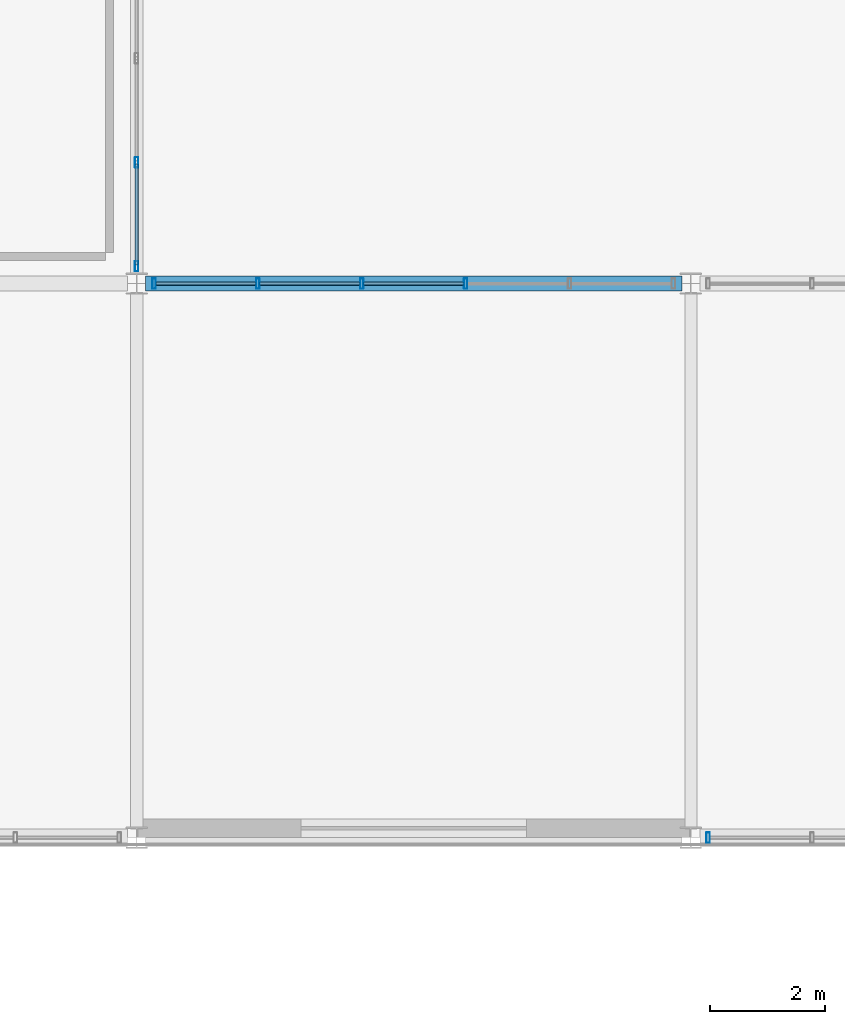
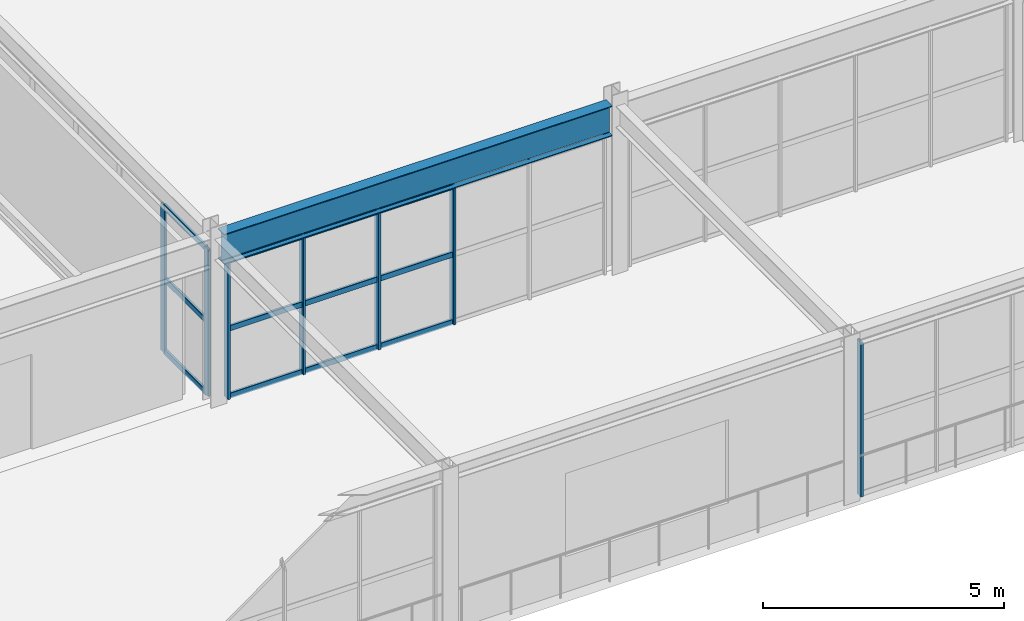
# One storey, part 100 of 170: 19 members, 1 beam, 3 elements without a shape of their own.
"""IFC4 building model written with IfcOpenShell, lengths in metres."""

from ifc_helpers import new_model, si_unit, direction, frame, origin, origin_2d, place, context, subcontext, project, spatial, hollow_rectangle, i_section, extrude, material, material_profile, profile_set, type_object, element, aggregate, save


model = new_model("IFC4")

# Units and contexts
model_context = context("Model", 3, precision=1e-05, world=origin(), true_north=direction((0.0, 1.0)))
body_context = subcontext(model_context, "Body", "Model", "MODEL_VIEW")
ifc_project = project(units=[si_unit("LENGTHUNIT", "METRE"), si_unit("AREAUNIT", "SQUARE_METRE"), si_unit("VOLUMEUNIT", "CUBIC_METRE"), si_unit("PLANEANGLEUNIT", "RADIAN"), si_unit("MASSUNIT", "GRAM", prefix="KILO")], contexts=[model_context])

# Site, building, storey
site_placement = place(None, origin())
site = spatial("IfcSite", under=ifc_project, at=site_placement, CompositionType="ELEMENT")
building_placement = place(site_placement, origin())
building = spatial("IfcBuilding", under=site, at=building_placement, Name="Coralgate Yard Interchange", CompositionType="ELEMENT")
storey_placement = place(building_placement, frame((0.0, 0.0, 6.0)))
storey = spatial("IfcBuildingStorey", under=building, at=storey_placement, Name="L01", CompositionType="ELEMENT", Elevation=6.0)

# Beam
ifc_material_1 = material(Name="Structural steel S355J2", Category="steel")
ifc_material_profile_1 = material_profile(ifc_material_1, i_section(OverallWidth=0.2666015625, OverallDepth=0.76220703125, WebThickness=0.014404296875, FlangeThickness=0.021484375, FilletRadius=0.0166015625, at=origin_2d()), Name="UB 762x267x173")
ifc_profile_set_1 = profile_set([ifc_material_profile_1], Name="Structural steel S355J2")
beam_type = type_object("IfcBeamType", Name="BM-SG-3", PredefinedType="BEAM", material=ifc_profile_set_1)
beam_placement = place(storey_placement, frame((105.75634765625, 76.800048828125, 3.868896484375), z_axis=(1.0, 0.0, 0.0), x_axis=(0.0, 1.0, 0.0)))
element("IfcBeam", 1, at=beam_placement, inside=storey, type_object=beam_type, Name="L01 primary grid beam Y8 X11-12", PredefinedType="BEAM", context=body_context, shape_type="SweptSolid", body=[
    extrude(i_section(OverallWidth=0.2666015625, OverallDepth=0.76220703125, WebThickness=0.014404296875, FlangeThickness=0.021484375, FilletRadius=0.0166015625, at=origin_2d()), origin(), (0.0, 0.0, 1.0), 9.287353515625),
])

# Curtain wall, members
ifc_material_2 = material(Name="Anodised coastal aluminium and solar-control low-E glass", Category="aluminium")
curtain_wall_type_1 = type_object("IfcCurtainWallType", Name="CW-CW-L01-B", PredefinedType="NOTDEFINED", material=ifc_material_2)
curtain_wall_1_placement = place(storey_placement, origin())
curtain_wall_1 = element("IfcCurtainWall", 2, at=curtain_wall_1_placement, inside=storey, type_object=curtain_wall_type_1, Name="L01 unitised curtain wall CW-L01-E-10-08", PredefinedType="NOTDEFINED")
ifc_material_3 = material(Name="Anodised coastal aluminium 6063-T6", Category="aluminium")
ifc_material_profile_2 = material_profile(ifc_material_3, hollow_rectangle(XDim=0.06005859375, YDim=0.179931640625, WallThickness=0.00390625, InnerFilletRadius=0.00390625, OuterFilletRadius=0.008056640625, at=origin_2d()), Name="ALU 60x180x4")
ifc_profile_set_2 = profile_set([ifc_material_profile_2], Name="Anodised coastal aluminium 6063-T6")
member_type_1 = type_object("IfcMemberType", Name="MB-MUL-180", PredefinedType="MULLION", material=ifc_profile_set_2)
member_1_placement = place(storey_placement, frame((105.60009765625, 78.89990234375, 0.0), z_axis=(0.0, 0.0, 1.0), x_axis=(1.0, 0.0, 0.0)))
member_1 = element("IfcMember", 3, at=member_1_placement, type_object=member_type_1, Name="CW-L01-E-10-08 vertical mullion 5", PredefinedType="MULLION", context=body_context, shape_type="SweptSolid", body=[
    extrude(hollow_rectangle(XDim=0.06005859375, YDim=0.179931640625, WallThickness=0.00390625, InnerFilletRadius=0.00390625, OuterFilletRadius=0.008056640625, at=origin_2d()), origin(), (0.0, 0.0, 1.0), 3.716796875),
])
member_2_placement = place(storey_placement, frame((105.60009765625, 77.10009765625, 0.0), z_axis=(0.0, 0.0, 1.0), x_axis=(1.0, 0.0, 0.0)))
member_2 = element("IfcMember", 4, at=member_2_placement, type_object=member_type_1, Name="CW-L01-E-10-08 vertical mullion 6", PredefinedType="MULLION", context=body_context, shape_type="SweptSolid", body=[
    extrude(hollow_rectangle(XDim=0.06005859375, YDim=0.179931640625, WallThickness=0.00390625, InnerFilletRadius=0.00390625, OuterFilletRadius=0.008056640625, at=origin_2d()), origin(), (0.0, 0.0, 1.0), 3.716796875),
])

curtain_wall_2_placement = place(storey_placement, origin())
curtain_wall_2 = element("IfcCurtainWall", 5, at=curtain_wall_2_placement, inside=storey, type_object=curtain_wall_type_1, Name="L01 unitised curtain wall CW-L01-N-11-07", PredefinedType="NOTDEFINED")
member_3_placement = place(storey_placement, frame((105.89990234375, 76.800048828125, 0.0), z_axis=(0.0, 0.0, 1.0), x_axis=(1.0, 0.0, 0.0)))
member_3 = element("IfcMember", 6, at=member_3_placement, type_object=member_type_1, Name="CW-L01-N-11-07 vertical mullion 1", PredefinedType="MULLION", context=body_context, shape_type="SweptSolid", body=[
    extrude(hollow_rectangle(XDim=0.06005859375, YDim=0.179931640625, WallThickness=0.00390625, InnerFilletRadius=0.00390625, OuterFilletRadius=0.008056640625, at=origin_2d()), origin(), (0.0, 0.0, 1.0), 3.48779296875),
])
member_4_placement = place(storey_placement, frame((107.699951171875, 76.800048828125, 0.0), z_axis=(0.0, 0.0, 1.0), x_axis=(1.0, 0.0, 0.0)))
member_4 = element("IfcMember", 7, at=member_4_placement, type_object=member_type_1, Name="CW-L01-N-11-07 vertical mullion 2", PredefinedType="MULLION", context=body_context, shape_type="SweptSolid", body=[
    extrude(hollow_rectangle(XDim=0.06005859375, YDim=0.179931640625, WallThickness=0.00390625, InnerFilletRadius=0.00390625, OuterFilletRadius=0.008056640625, at=origin_2d()), origin(), (0.0, 0.0, 1.0), 3.48779296875),
])
member_5_placement = place(storey_placement, frame((109.5, 76.800048828125, 0.0), z_axis=(0.0, 0.0, 1.0), x_axis=(1.0, 0.0, 0.0)))
member_5 = element("IfcMember", 8, at=member_5_placement, type_object=member_type_1, Name="CW-L01-N-11-07 vertical mullion 3", PredefinedType="MULLION", context=body_context, shape_type="SweptSolid", body=[
    extrude(hollow_rectangle(XDim=0.06005859375, YDim=0.179931640625, WallThickness=0.00390625, InnerFilletRadius=0.00390625, OuterFilletRadius=0.008056640625, at=origin_2d()), origin(), (0.0, 0.0, 1.0), 3.48779296875),
])
member_6_placement = place(storey_placement, frame((111.300048828125, 76.800048828125, 0.0), z_axis=(0.0, 0.0, 1.0), x_axis=(1.0, 0.0, 0.0)))
member_6 = element("IfcMember", 9, at=member_6_placement, type_object=member_type_1, Name="CW-L01-N-11-07 vertical mullion 4", PredefinedType="MULLION", context=body_context, shape_type="SweptSolid", body=[
    extrude(hollow_rectangle(XDim=0.06005859375, YDim=0.179931640625, WallThickness=0.00390625, InnerFilletRadius=0.00390625, OuterFilletRadius=0.008056640625, at=origin_2d()), origin(), (0.0, 0.0, 1.0), 3.48779296875),
])

# Curtain wall, member
curtain_wall_type_2 = type_object("IfcCurtainWallType", Name="CW-CW-L01-A", PredefinedType="NOTDEFINED", material=ifc_material_2)
curtain_wall_3_placement = place(storey_placement, origin())
curtain_wall_3 = element("IfcCurtainWall", 10, at=curtain_wall_3_placement, inside=storey, type_object=curtain_wall_type_2, Name="L01 unitised curtain wall CW-L01-S-12-07", PredefinedType="NOTDEFINED")
member_7_placement = place(storey_placement, frame((115.5, 67.199951171875, 0.0), z_axis=(0.0, 0.0, 1.0), x_axis=(1.0, 0.0, 0.0)))
member_7 = element("IfcMember", 11, at=member_7_placement, type_object=member_type_1, Name="CW-L01-S-12-07 vertical mullion 6", PredefinedType="MULLION", context=body_context, shape_type="SweptSolid", body=[
    extrude(hollow_rectangle(XDim=0.06005859375, YDim=0.179931640625, WallThickness=0.00390625, InnerFilletRadius=0.00390625, OuterFilletRadius=0.008056640625, at=origin_2d()), origin(), (0.0, 0.0, 1.0), 3.89990234375),
])
aggregate(curtain_wall_3, [member_7])

# Member
ifc_material_profile_3 = material_profile(ifc_material_3, hollow_rectangle(XDim=0.06005859375, YDim=0.139892578125, WallThickness=0.00341796875, InnerFilletRadius=0.00341796875, OuterFilletRadius=0.007080078125, at=origin_2d()), Name="ALU 60x140x3.5")
ifc_profile_set_3 = profile_set([ifc_material_profile_3], Name="Anodised coastal aluminium 6063-T6")
member_type_2 = type_object("IfcMemberType", Name="MB-TRN-140", PredefinedType="USERDEFINED", material=ifc_profile_set_3)
member_8_placement = place(storey_placement, frame((105.60009765625, 78.8701171875, 0.034912109375), z_axis=(0.0, -1.0, 0.0), x_axis=(1.0, 0.0, 0.0)))
member_8 = element("IfcMember", 12, at=member_8_placement, type_object=member_type_2, Name="CW-L01-E-10-08 horizontal transom 5-1", ObjectType="TRANSOM", PredefinedType="USERDEFINED", context=body_context, shape_type="SweptSolid", body=[
    extrude(hollow_rectangle(XDim=0.06005859375, YDim=0.139892578125, WallThickness=0.00341796875, InnerFilletRadius=0.00341796875, OuterFilletRadius=0.007080078125, at=origin_2d()), origin(), (0.0, 0.0, 1.0), 1.740234375),
])

member_9_placement = place(storey_placement, frame((105.60009765625, 78.8701171875, 1.8583984375), z_axis=(0.0, -1.0, 0.0), x_axis=(1.0, 0.0, 0.0)))
member_9 = element("IfcMember", 13, at=member_9_placement, type_object=member_type_2, Name="CW-L01-E-10-08 horizontal transom 5-2", ObjectType="TRANSOM", PredefinedType="USERDEFINED", context=body_context, shape_type="SweptSolid", body=[
    extrude(hollow_rectangle(XDim=0.06005859375, YDim=0.139892578125, WallThickness=0.00341796875, InnerFilletRadius=0.00341796875, OuterFilletRadius=0.007080078125, at=origin_2d()), origin(), (0.0, 0.0, 1.0), 1.740234375),
])

member_10_placement = place(storey_placement, frame((105.60009765625, 78.8701171875, 3.681884765625), z_axis=(0.0, -1.0, 0.0), x_axis=(1.0, 0.0, 0.0)))
member_10 = element("IfcMember", 14, at=member_10_placement, type_object=member_type_2, Name="CW-L01-E-10-08 horizontal transom 5-3", ObjectType="TRANSOM", PredefinedType="USERDEFINED", context=body_context, shape_type="SweptSolid", body=[
    extrude(hollow_rectangle(XDim=0.06005859375, YDim=0.139892578125, WallThickness=0.00341796875, InnerFilletRadius=0.00341796875, OuterFilletRadius=0.007080078125, at=origin_2d()), origin(), (0.0, 0.0, 1.0), 1.740234375),
])

aggregate(curtain_wall_1, [member_1, member_2, member_8, member_9, member_10])

member_11_placement = place(storey_placement, frame((105.929931640625, 76.800048828125, 0.034912109375), z_axis=(1.0, 0.0, 0.0), x_axis=(0.0, 1.0, 0.0)))
member_11 = element("IfcMember", 15, at=member_11_placement, type_object=member_type_2, Name="CW-L01-N-11-07 horizontal transom 1-1", ObjectType="TRANSOM", PredefinedType="USERDEFINED", context=body_context, shape_type="SweptSolid", body=[
    extrude(hollow_rectangle(XDim=0.06005859375, YDim=0.139892578125, WallThickness=0.00341796875, InnerFilletRadius=0.00341796875, OuterFilletRadius=0.007080078125, at=origin_2d()), origin(), (0.0, 0.0, 1.0), 1.739990234375),
])

member_12_placement = place(storey_placement, frame((105.929931640625, 76.800048828125, 1.743896484375), z_axis=(1.0, 0.0, 0.0), x_axis=(0.0, 1.0, 0.0)))
member_12 = element("IfcMember", 16, at=member_12_placement, type_object=member_type_2, Name="CW-L01-N-11-07 horizontal transom 1-2", ObjectType="TRANSOM", PredefinedType="USERDEFINED", context=body_context, shape_type="SweptSolid", body=[
    extrude(hollow_rectangle(XDim=0.06005859375, YDim=0.139892578125, WallThickness=0.00341796875, InnerFilletRadius=0.00341796875, OuterFilletRadius=0.007080078125, at=origin_2d()), origin(), (0.0, 0.0, 1.0), 1.739990234375),
])

member_13_placement = place(storey_placement, frame((105.929931640625, 76.800048828125, 3.452880859375), z_axis=(1.0, 0.0, 0.0), x_axis=(0.0, 1.0, 0.0)))
member_13 = element("IfcMember", 17, at=member_13_placement, type_object=member_type_2, Name="CW-L01-N-11-07 horizontal transom 1-3", ObjectType="TRANSOM", PredefinedType="USERDEFINED", context=body_context, shape_type="SweptSolid", body=[
    extrude(hollow_rectangle(XDim=0.06005859375, YDim=0.139892578125, WallThickness=0.00341796875, InnerFilletRadius=0.00341796875, OuterFilletRadius=0.007080078125, at=origin_2d()), origin(), (0.0, 0.0, 1.0), 1.739990234375),
])

member_14_placement = place(storey_placement, frame((107.72998046875, 76.800048828125, 0.034912109375), z_axis=(1.0, 0.0, 0.0), x_axis=(0.0, 1.0, 0.0)))
member_14 = element("IfcMember", 18, at=member_14_placement, type_object=member_type_2, Name="CW-L01-N-11-07 horizontal transom 2-1", ObjectType="TRANSOM", PredefinedType="USERDEFINED", context=body_context, shape_type="SweptSolid", body=[
    extrude(hollow_rectangle(XDim=0.06005859375, YDim=0.139892578125, WallThickness=0.00341796875, InnerFilletRadius=0.00341796875, OuterFilletRadius=0.007080078125, at=origin_2d()), origin(), (0.0, 0.0, 1.0), 1.739990234375),
])

member_15_placement = place(storey_placement, frame((107.72998046875, 76.800048828125, 1.743896484375), z_axis=(1.0, 0.0, 0.0), x_axis=(0.0, 1.0, 0.0)))
member_15 = element("IfcMember", 19, at=member_15_placement, type_object=member_type_2, Name="CW-L01-N-11-07 horizontal transom 2-2", ObjectType="TRANSOM", PredefinedType="USERDEFINED", context=body_context, shape_type="SweptSolid", body=[
    extrude(hollow_rectangle(XDim=0.06005859375, YDim=0.139892578125, WallThickness=0.00341796875, InnerFilletRadius=0.00341796875, OuterFilletRadius=0.007080078125, at=origin_2d()), origin(), (0.0, 0.0, 1.0), 1.739990234375),
])

member_16_placement = place(storey_placement, frame((107.72998046875, 76.800048828125, 3.452880859375), z_axis=(1.0, 0.0, 0.0), x_axis=(0.0, 1.0, 0.0)))
member_16 = element("IfcMember", 20, at=member_16_placement, type_object=member_type_2, Name="CW-L01-N-11-07 horizontal transom 2-3", ObjectType="TRANSOM", PredefinedType="USERDEFINED", context=body_context, shape_type="SweptSolid", body=[
    extrude(hollow_rectangle(XDim=0.06005859375, YDim=0.139892578125, WallThickness=0.00341796875, InnerFilletRadius=0.00341796875, OuterFilletRadius=0.007080078125, at=origin_2d()), origin(), (0.0, 0.0, 1.0), 1.739990234375),
])

member_17_placement = place(storey_placement, frame((109.530029296875, 76.800048828125, 0.034912109375), z_axis=(1.0, 0.0, 0.0), x_axis=(0.0, 1.0, 0.0)))
member_17 = element("IfcMember", 21, at=member_17_placement, type_object=member_type_2, Name="CW-L01-N-11-07 horizontal transom 3-1", ObjectType="TRANSOM", PredefinedType="USERDEFINED", context=body_context, shape_type="SweptSolid", body=[
    extrude(hollow_rectangle(XDim=0.06005859375, YDim=0.139892578125, WallThickness=0.00341796875, InnerFilletRadius=0.00341796875, OuterFilletRadius=0.007080078125, at=origin_2d()), origin(), (0.0, 0.0, 1.0), 1.739990234375),
])

member_18_placement = place(storey_placement, frame((109.530029296875, 76.800048828125, 1.743896484375), z_axis=(1.0, 0.0, 0.0), x_axis=(0.0, 1.0, 0.0)))
member_18 = element("IfcMember", 22, at=member_18_placement, type_object=member_type_2, Name="CW-L01-N-11-07 horizontal transom 3-2", ObjectType="TRANSOM", PredefinedType="USERDEFINED", context=body_context, shape_type="SweptSolid", body=[
    extrude(hollow_rectangle(XDim=0.06005859375, YDim=0.139892578125, WallThickness=0.00341796875, InnerFilletRadius=0.00341796875, OuterFilletRadius=0.007080078125, at=origin_2d()), origin(), (0.0, 0.0, 1.0), 1.739990234375),
])

member_19_placement = place(storey_placement, frame((109.530029296875, 76.800048828125, 3.452880859375), z_axis=(1.0, 0.0, 0.0), x_axis=(0.0, 1.0, 0.0)))
member_19 = element("IfcMember", 23, at=member_19_placement, type_object=member_type_2, Name="CW-L01-N-11-07 horizontal transom 3-3", ObjectType="TRANSOM", PredefinedType="USERDEFINED", context=body_context, shape_type="SweptSolid", body=[
    extrude(hollow_rectangle(XDim=0.06005859375, YDim=0.139892578125, WallThickness=0.00341796875, InnerFilletRadius=0.00341796875, OuterFilletRadius=0.007080078125, at=origin_2d()), origin(), (0.0, 0.0, 1.0), 1.739990234375),
])

aggregate(curtain_wall_2, [member_3, member_4, member_5, member_6, member_11, member_12, member_13, member_14, member_15, member_16, member_17, member_18, member_19])

save(model, "model.ifc")
